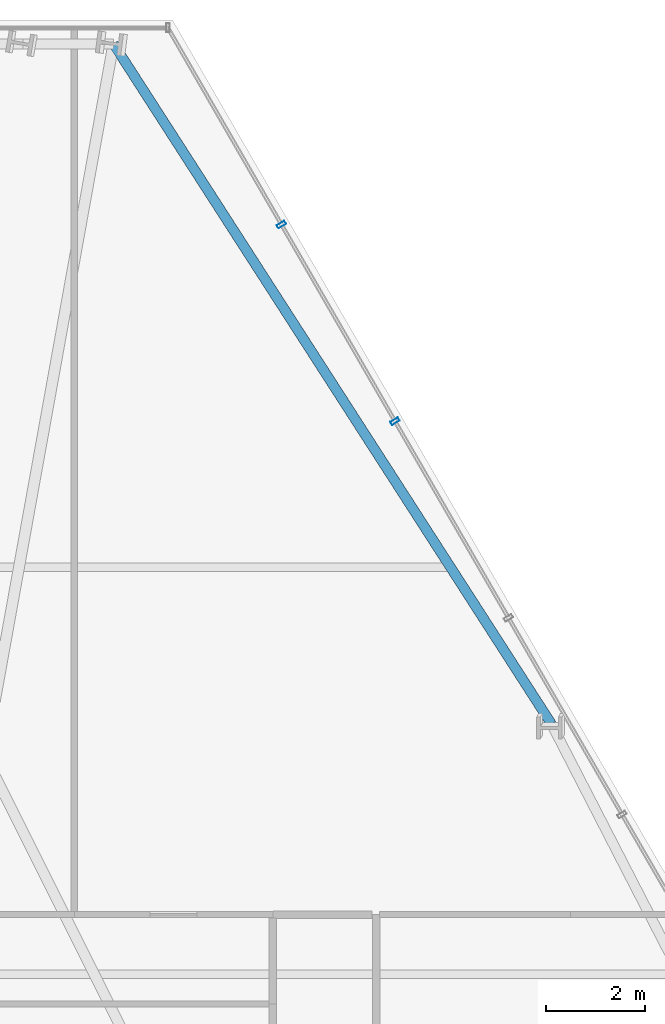
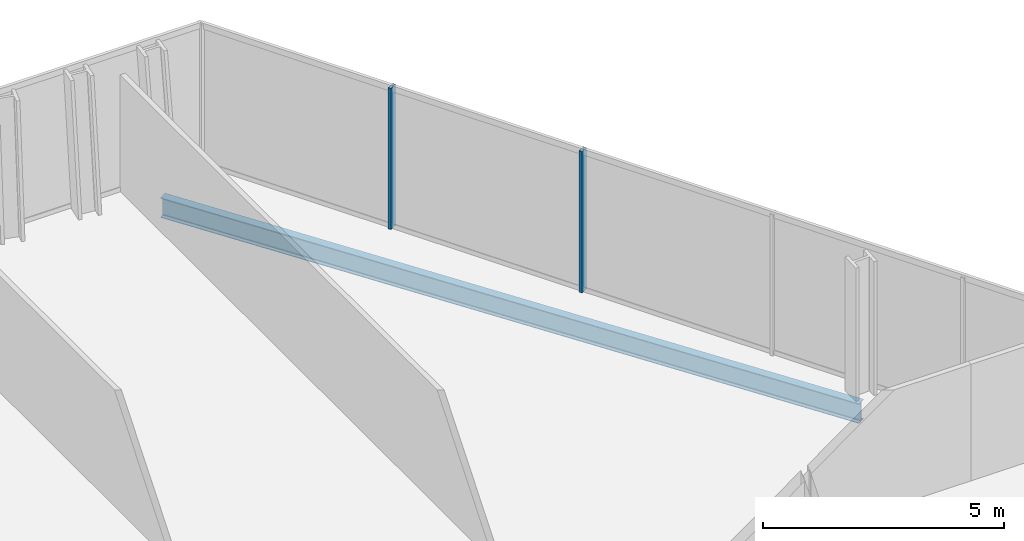
# One storey, part 25 of 32: 2 members, 1 beam, 1 element without a shape of its own.
"""IFC4 building model written with IfcOpenShell, lengths in metres."""

from ifc_helpers import new_model, si_unit, direction, frame, origin, origin_2d, place, context, subcontext, project, spatial, hollow_rectangle, i_section, extrude, material, layer, layer_set, material_profile, profile_set, type_object, element, aggregate, save


model = new_model("IFC4")

# Units and contexts
model_context = context("Model", 3, precision=1e-05, world=origin(), true_north=direction((0.0, 1.0)))
body_context = subcontext(model_context, "Body", "Model", "MODEL_VIEW")
ifc_project = project(units=[si_unit("LENGTHUNIT", "METRE"), si_unit("AREAUNIT", "SQUARE_METRE"), si_unit("VOLUMEUNIT", "CUBIC_METRE"), si_unit("PLANEANGLEUNIT", "RADIAN"), si_unit("MASSUNIT", "GRAM", prefix="KILO")], contexts=[model_context])

# Site, building, storey
site_placement = place(None, origin())
site = spatial("IfcSite", under=ifc_project, at=site_placement, CompositionType="ELEMENT")
building_placement = place(site_placement, origin())
building = spatial("IfcBuilding", under=site, at=building_placement, Name="Ndaravel Arena Tower", CompositionType="ELEMENT")
storey_placement = place(building_placement, frame((0.0, 0.0, 77.800048828125)))
storey = spatial("IfcBuildingStorey", under=building, at=storey_placement, Name="L17", CompositionType="ELEMENT", Elevation=77.800048828125)

# Beam
ifc_material_1 = material(Name="Steel S355", Category="steel")
ifc_material_profile_1 = material_profile(ifc_material_1, i_section(OverallWidth=0.199951171875, OverallDepth=0.5, WebThickness=0.01025390625, FlangeThickness=0.01611328125, FilletRadius=0.02099609375, at=origin_2d()), Name="IPE 500")
ifc_profile_set_1 = profile_set([ifc_material_profile_1], Name="Steel S355")
beam_type = type_object("IfcBeamType", Name="BM-SPAN-IPE500", PredefinedType="SPANDREL", material=ifc_profile_set_1)
beam_placement = place(storey_placement, frame((57.216796875, 31.836181640625, -0.469970703125), z_axis=(-0.541382511268, 0.840776412903, 0.0), x_axis=(-0.840776412903, -0.541382511268, 0.0)))
element("IfcBeam", 1, at=beam_placement, inside=storey, type_object=beam_type, Name="L17 Perimeter Spandrel Beam SP-10", PredefinedType="SPANDREL", context=body_context, shape_type="SweptSolid", body=[
    extrude(i_section(OverallWidth=0.199951171875, OverallDepth=0.5, WebThickness=0.01025390625, FlangeThickness=0.01611328125, FilletRadius=0.02099609375, at=origin_2d()), origin(), (0.0, 0.0, 1.0), 16.3056640625),
])

# Curtain wall, members
ifc_material_2 = material(Name="Aluminium", Category="aluminium")
ifc_layer = layer(ifc_material_2, 0.179931640625)
ifc_layer_set = layer_set([ifc_layer], Name="Aluminium")
curtain_wall_type = type_object("IfcCurtainWallType", Name="CW-SYS-03", PredefinedType="NOTDEFINED", material=ifc_layer_set)
curtain_wall_placement = place(storey_placement, origin())
curtain_wall = element("IfcCurtainWall", 2, at=curtain_wall_placement, inside=storey, type_object=curtain_wall_type, Name="L17 Faceted Crystal Curtain Wall CW-L17-E03", PredefinedType="NOTDEFINED")
ifc_material_3 = material(Name="Aluminium", Category="aluminium")
ifc_material_profile_2 = material_profile(ifc_material_3, hollow_rectangle(XDim=0.074951171875, YDim=0.179931640625, WallThickness=0.00390625, at=origin_2d()), Name="CW MULLION 75x180x4")
ifc_profile_set_2 = profile_set([ifc_material_profile_2], Name="Aluminium")
member_type = type_object("IfcMemberType", Name="MEM-CW-MUL180", PredefinedType="MULLION", material=ifc_profile_set_2)
member_1_placement = place(storey_placement, frame((54.062255859375, 37.940185546875, 0.0), z_axis=(0.0, 0.0, 1.0), x_axis=(-0.5, 0.866025403784, 0.0)))
member_1 = element("IfcMember", 3, at=member_1_placement, type_object=member_type, Name="CW-L17-E03 Mullion 05", PredefinedType="MULLION", context=body_context, shape_type="SweptSolid", body=[
    extrude(hollow_rectangle(XDim=0.074951171875, YDim=0.179931640625, WallThickness=0.00390625, at=origin_2d()), origin(), (0.0, 0.0, 1.0), 3.579833984375),
])
member_2_placement = place(storey_placement, frame((51.7744140625, 41.903076171875, 0.0), z_axis=(0.0, 0.0, 1.0), x_axis=(-0.5, 0.866025403784, 0.0)))
member_2 = element("IfcMember", 4, at=member_2_placement, type_object=member_type, Name="CW-L17-E03 Mullion 06", PredefinedType="MULLION", context=body_context, shape_type="SweptSolid", body=[
    extrude(hollow_rectangle(XDim=0.074951171875, YDim=0.179931640625, WallThickness=0.00390625, at=origin_2d()), origin(), (0.0, 0.0, 1.0), 3.579833984375),
])
aggregate(curtain_wall, [member_1, member_2])

save(model, "model.ifc")
